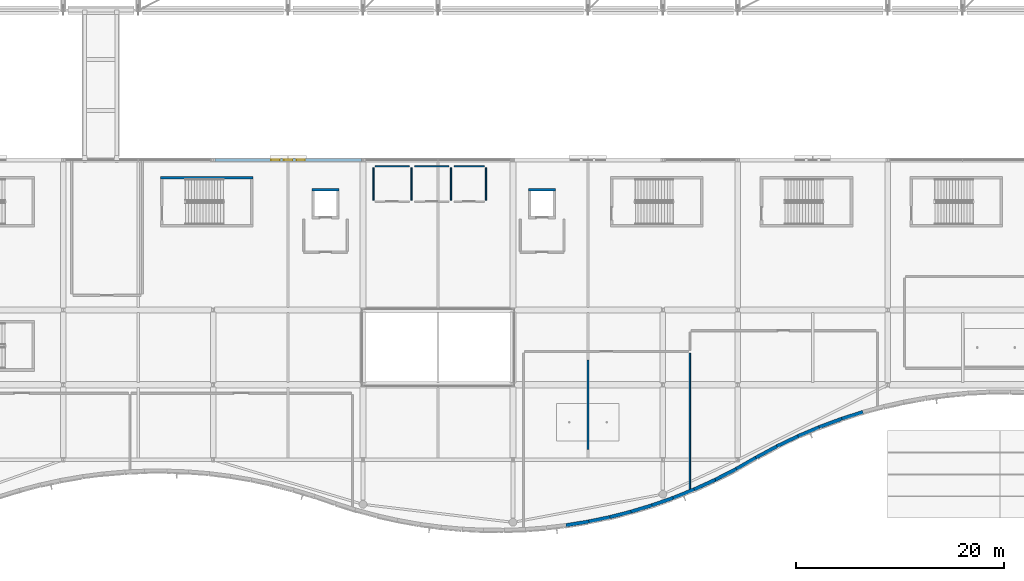
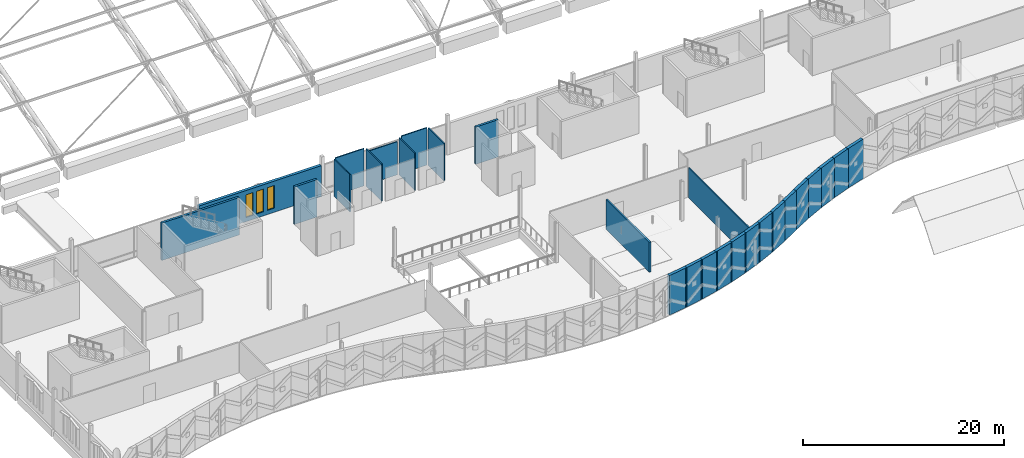
# One storey, part 137 of 193: 27 walls, 3 windows, 3 openings.
"""IFC4 building model written with IfcOpenShell, lengths in metres."""

from ifc_helpers import new_model, si_unit, direction, frame, frame_2d, origin, place, context, subcontext, project, spatial, rectangle, extrude, material, layer, layer_set, type_object, element, fill, save


model = new_model("IFC4")

# Units and contexts
model_context = context("Model", 3, precision=1e-05, world=origin(), true_north=direction((0.0, 1.0)))
body_context = subcontext(model_context, "Body", "Model", "MODEL_VIEW")
ifc_project = project(units=[si_unit("LENGTHUNIT", "METRE"), si_unit("AREAUNIT", "SQUARE_METRE"), si_unit("VOLUMEUNIT", "CUBIC_METRE"), si_unit("PLANEANGLEUNIT", "RADIAN"), si_unit("MASSUNIT", "GRAM", prefix="KILO")], contexts=[model_context])

# Site, building, storey
site_placement = place(None, origin())
site = spatial("IfcSite", under=ifc_project, at=site_placement, CompositionType="ELEMENT")
building_placement = place(site_placement, origin())
building = spatial("IfcBuilding", under=site, at=building_placement, Name="Cendralis Lancet Convention Centre", CompositionType="ELEMENT")
storey_placement = place(building_placement, frame((0.0, 0.0, 10.199951171875)))
storey = spatial("IfcBuildingStorey", under=building, at=storey_placement, Name="L02", CompositionType="ELEMENT", Elevation=10.199951171875)

# Wall, openings, windows
ifc_material_1 = material(Name="Buff sandstone ashlar and Concrete G40 (C40/50)", Category="masonry")
ifc_layer_1 = layer(ifc_material_1, 0.320068359375, Name="Buff sandstone ashlar and Concrete G40 (C40/50)")
ifc_layer_set_1 = layer_set([ifc_layer_1], Name="Buff sandstone ashlar and Concrete G40 (C40/50)")
wall_type_1 = type_object("IfcWallType", Name="ARC-EW-W320", PredefinedType="STANDARD", material=ifc_layer_set_1)
wall_1_placement = place(storey_placement, frame((28.9580078125, 36.0, 0.0), z_axis=(0.0, 0.0, 1.0), x_axis=(1.0, 0.0, 0.0)))
wall_1 = element("IfcWall", 1, at=wall_1_placement, inside=storey, type_object=wall_type_1, Name="L02 V4 Exterior Wall EW-06 #0207", PredefinedType="STANDARD", context=body_context, shape_type="SweptSolid", body=[
    extrude(rectangle(XDim=14.083984375, YDim=0.320068359375, at=frame_2d((7.0419921875, 0.0))), origin(), (0.0, 0.0, 1.0), 3.775146484375),
])
opening_1_placement = place(wall_1_placement, frame((5.422119140625, 0.0, 0.5)))
opening_1 = element("IfcOpeningElement", 2, at=opening_1_placement, cuts=wall_1, Name="Opening WN-07", PredefinedType="OPENING", context=body_context, shape_type="SweptSolid", body=[
    extrude(rectangle(XDim=0.800048828125, YDim=2.75, at=frame_2d((0.39990234375, 1.375))), frame((0.0, 0.169921875, 0.0), z_axis=(0.0, -1.0, 0.0), x_axis=(1.0, 0.0, 0.0)), (0.0, 0.0, 1.0), 0.340087890625),
])
opening_2_placement = place(wall_1_placement, frame((6.64208984375, 0.0, 0.5)))
opening_2 = element("IfcOpeningElement", 3, at=opening_2_placement, cuts=wall_1, Name="Opening WN-07", PredefinedType="OPENING", context=body_context, shape_type="SweptSolid", body=[
    extrude(rectangle(XDim=0.800048828125, YDim=2.75, at=frame_2d((0.39990234375, 1.375))), frame((0.0, 0.169921875, 0.0), z_axis=(0.0, -1.0, 0.0), x_axis=(1.0, 0.0, 0.0)), (0.0, 0.0, 1.0), 0.340087890625),
])
opening_3_placement = place(wall_1_placement, frame((7.862060546875, 0.0, 0.5)))
opening_3 = element("IfcOpeningElement", 4, at=opening_3_placement, cuts=wall_1, Name="Opening WN-07", PredefinedType="OPENING", context=body_context, shape_type="SweptSolid", body=[
    extrude(rectangle(XDim=0.800048828125, YDim=2.75, at=frame_2d((0.39990234375, 1.375))), frame((0.0, 0.169921875, 0.0), z_axis=(0.0, -1.0, 0.0), x_axis=(1.0, 0.0, 0.0)), (0.0, 0.0, 1.0), 0.340087890625),
])
ifc_material_2 = material(Name="Double-glazed low-E solar-control glass", Category="glass")
window_type = type_object("IfcWindowType", Name="ARC-WN-LW07", PartitioningType="SINGLE_PANEL", PredefinedType="WINDOW", material=ifc_material_2)
window_1_placement = place(opening_1_placement, origin())
window_1 = element("IfcWindow", 5, at=window_1_placement, inside=storey, type_object=window_type, Name="Gothic Lancet Window WN-07 #0406", OverallHeight=2.75, OverallWidth=0.800048828125, PartitioningType="SINGLE_PANEL", PredefinedType="WINDOW", context=body_context, shape_type="SweptSolid", body=[
    extrude(rectangle(XDim=0.800048828125, YDim=2.75, at=frame_2d((0.39990234375, 1.375))), frame((0.0, 0.030029296875, 0.0), z_axis=(0.0, -1.0, 0.0), x_axis=(1.0, 0.0, 0.0)), (0.0, 0.0, 1.0), 0.06005859375),
])
fill(opening_1, window_1)
window_2_placement = place(opening_2_placement, origin())
window_2 = element("IfcWindow", 6, at=window_2_placement, inside=storey, type_object=window_type, Name="Gothic Lancet Window WN-07 #0407", OverallHeight=2.75, OverallWidth=0.800048828125, PartitioningType="SINGLE_PANEL", PredefinedType="WINDOW", context=body_context, shape_type="SweptSolid", body=[
    extrude(rectangle(XDim=0.800048828125, YDim=2.75, at=frame_2d((0.39990234375, 1.375))), frame((0.0, 0.030029296875, 0.0), z_axis=(0.0, -1.0, 0.0), x_axis=(1.0, 0.0, 0.0)), (0.0, 0.0, 1.0), 0.06005859375),
])
fill(opening_2, window_2)
window_3_placement = place(opening_3_placement, origin())
window_3 = element("IfcWindow", 7, at=window_3_placement, inside=storey, type_object=window_type, Name="Gothic Lancet Window WN-07 #0408", OverallHeight=2.75, OverallWidth=0.800048828125, PartitioningType="SINGLE_PANEL", PredefinedType="WINDOW", context=body_context, shape_type="SweptSolid", body=[
    extrude(rectangle(XDim=0.800048828125, YDim=2.75, at=frame_2d((0.39990234375, 1.375))), frame((0.0, 0.030029296875, 0.0), z_axis=(0.0, -1.0, 0.0), x_axis=(1.0, 0.0, 0.0)), (0.0, 0.0, 1.0), 0.06005859375),
])
fill(opening_3, window_3)

# Walls
ifc_layer_2 = layer(ifc_material_1, 0.340087890625, Name="Buff sandstone ashlar and Concrete G40 (C40/50)")
ifc_layer_set_2 = layer_set([ifc_layer_2], Name="Buff sandstone ashlar and Concrete G40 (C40/50)")
wall_type_2 = type_object("IfcWallType", Name="ARC-EW-W340", PredefinedType="STANDARD", material=ifc_layer_set_2)
wall_2_placement = place(storey_placement, frame((62.697998046875, 0.911376953125, 0.0), z_axis=(0.0, 0.0, 1.0), x_axis=(0.986905765568, 0.161297891767, 0.0)))
element("IfcWall", 8, at=wall_2_placement, inside=storey, type_object=wall_type_2, Name="South Boulevard Wave Wall L02 WP-032-WP-033", PredefinedType="STANDARD", context=body_context, shape_type="SweptSolid", body=[
    extrude(rectangle(XDim=2.221923828125, YDim=0.340087890625, at=frame_2d((1.11083984375, 0.0))), origin(), (0.0, 0.0, 1.0), 4.800048828125),
])
wall_3_placement = place(storey_placement, frame((64.723876953125, 1.23876953125, 0.0), z_axis=(0.0, 0.0, 1.0), x_axis=(0.97908550934, 0.20344917154, 0.0)))
element("IfcWall", 9, at=wall_3_placement, inside=storey, type_object=wall_type_2, Name="South Boulevard Wave Wall L02 WP-033-WP-034", PredefinedType="STANDARD", context=body_context, shape_type="SweptSolid", body=[
    extrude(rectangle(XDim=2.2392578125, YDim=0.340087890625, at=frame_2d((1.11962890625, 0.0))), origin(), (0.0, 0.0, 1.0), 4.800048828125),
])
wall_4_placement = place(storey_placement, frame((66.75048828125, 1.656005859375, 0.0), z_axis=(0.0, 0.0, 1.0), x_axis=(0.969258997982, 0.246042668719, 0.0)))
element("IfcWall", 10, at=wall_4_placement, inside=storey, type_object=wall_type_2, Name="South Boulevard Wave Wall L02 WP-034-WP-035", PredefinedType="STANDARD", context=body_context, shape_type="SweptSolid", body=[
    extrude(rectangle(XDim=2.25927734375, YDim=0.340087890625, at=frame_2d((1.129638671875, 0.0))), origin(), (0.0, 0.0, 1.0), 4.800048828125),
])
wall_5_placement = place(storey_placement, frame((68.776611328125, 2.16650390625, 0.0), z_axis=(0.0, 0.0, 1.0), x_axis=(0.957628994577, 0.288004702643, 0.0)))
element("IfcWall", 11, at=wall_5_placement, inside=storey, type_object=wall_type_2, Name="South Boulevard Wave Wall L02 WP-035-WP-036", PredefinedType="STANDARD", context=body_context, shape_type="SweptSolid", body=[
    extrude(rectangle(XDim=2.284423828125, YDim=0.340087890625, at=frame_2d((1.14208984375, 0.0))), origin(), (0.0, 0.0, 1.0), 4.800048828125),
])
wall_6_placement = place(storey_placement, frame((70.802734375, 2.77197265625, 0.0), z_axis=(0.0, 0.0, 1.0), x_axis=(0.943963520868, 0.330049801197, 0.0)))
element("IfcWall", 12, at=wall_6_placement, inside=storey, type_object=wall_type_2, Name="South Boulevard Wave Wall L02 WP-036-WP-037", PredefinedType="STANDARD", context=body_context, shape_type="SweptSolid", body=[
    extrude(rectangle(XDim=2.315185546875, YDim=0.340087890625, at=frame_2d((1.15771484375, 0.0))), origin(), (0.0, 0.0, 1.0), 4.800048828125),
])
wall_7_placement = place(storey_placement, frame((72.8291015625, 3.476318359375, 0.0), z_axis=(0.0, 0.0, 1.0), x_axis=(0.928046758816, 0.372463707563, 0.0)))
element("IfcWall", 13, at=wall_7_placement, inside=storey, type_object=wall_type_2, Name="South Boulevard Wave Wall L02 WP-037-WP-038", PredefinedType="STANDARD", context=body_context, shape_type="SweptSolid", body=[
    extrude(rectangle(XDim=2.353271484375, YDim=0.340087890625, at=frame_2d((1.1767578125, 0.0))), origin(), (0.0, 0.0, 1.0), 4.800048828125),
])
wall_8_placement = place(storey_placement, frame((74.856689453125, 4.28564453125, 0.0), z_axis=(0.0, 0.0, 1.0), x_axis=(0.909912191501, 0.414800920633, 0.0)))
element("IfcWall", 14, at=wall_8_placement, inside=storey, type_object=wall_type_2, Name="South Boulevard Wave Wall L02 WP-038-WP-039", PredefinedType="STANDARD", context=body_context, shape_type="SweptSolid", body=[
    extrude(rectangle(XDim=2.3955078125, YDim=0.340087890625, at=frame_2d((1.19775390625, 0.0))), origin(), (0.0, 0.0, 1.0), 4.800048828125),
])
wall_9_placement = place(storey_placement, frame((76.88330078125, 5.205078125, 0.0), z_axis=(0.0, 0.0, 1.0), x_axis=(0.889545097509, 0.456847370024, 0.0)))
element("IfcWall", 15, at=wall_9_placement, inside=storey, type_object=wall_type_2, Name="South Boulevard Wave Wall L02 WP-039-WP-040", PredefinedType="STANDARD", context=body_context, shape_type="SweptSolid", body=[
    extrude(rectangle(XDim=2.446533203125, YDim=0.340087890625, at=frame_2d((1.22314453125, 0.0))), origin(), (0.0, 0.0, 1.0), 4.800048828125),
])
wall_10_placement = place(storey_placement, frame((78.91015625, 6.241943359375, 0.0), z_axis=(0.0, 0.0, 1.0), x_axis=(0.86862731291, 0.495466034423, 0.0)))
element("IfcWall", 16, at=wall_10_placement, inside=storey, type_object=wall_type_2, Name="South Boulevard Wave Wall L02 WP-040-WP-041", PredefinedType="STANDARD", context=body_context, shape_type="SweptSolid", body=[
    extrude(rectangle(XDim=2.501220703125, YDim=0.340087890625, at=frame_2d((1.25048828125, 0.0))), origin(), (0.0, 0.0, 1.0), 4.800048828125),
])
wall_11_placement = place(storey_placement, frame((80.93408203125, 7.398681640625, 0.0), z_axis=(0.0, 0.0, 1.0), x_axis=(0.88020761941, 0.474588818593, 0.0)))
element("IfcWall", 17, at=wall_11_placement, inside=storey, type_object=wall_type_2, Name="South Boulevard Wave Wall L02 WP-041-WP-042", PredefinedType="STANDARD", context=body_context, shape_type="SweptSolid", body=[
    extrude(rectangle(XDim=2.470703125, YDim=0.340087890625, at=frame_2d((1.2353515625, 0.0))), origin(), (0.0, 0.0, 1.0), 4.800048828125),
])
wall_12_placement = place(storey_placement, frame((82.95751953125, 8.494140625, 0.0), z_axis=(0.0, 0.0, 1.0), x_axis=(0.901581367557, 0.432609567247, 0.0)))
element("IfcWall", 18, at=wall_12_placement, inside=storey, type_object=wall_type_2, Name="South Boulevard Wave Wall L02 WP-042-WP-043", PredefinedType="STANDARD", context=body_context, shape_type="SweptSolid", body=[
    extrude(rectangle(XDim=2.4169921875, YDim=0.340087890625, at=frame_2d((1.20849609375, 0.0))), origin(), (0.0, 0.0, 1.0), 4.800048828125),
])
wall_13_placement = place(storey_placement, frame((84.981689453125, 9.4697265625, 0.0), z_axis=(0.0, 0.0, 1.0), x_axis=(0.920731016791, 0.39019789174, 0.0)))
element("IfcWall", 19, at=wall_13_placement, inside=storey, type_object=wall_type_2, Name="South Boulevard Wave Wall L02 WP-043-WP-044", PredefinedType="STANDARD", context=body_context, shape_type="SweptSolid", body=[
    extrude(rectangle(XDim=2.369384765625, YDim=0.340087890625, at=frame_2d((1.1845703125, 0.0))), origin(), (0.0, 0.0, 1.0), 4.800048828125),
])
wall_14_placement = place(storey_placement, frame((87.00537109375, 10.331298828125, 0.0), z_axis=(0.0, 0.0, 1.0), x_axis=(0.937431134524, 0.348170745504, 0.0)))
element("IfcWall", 20, at=wall_14_placement, inside=storey, type_object=wall_type_2, Name="South Boulevard Wave Wall L02 WP-044-WP-045", PredefinedType="STANDARD", context=body_context, shape_type="SweptSolid", body=[
    extrude(rectangle(XDim=2.330078125, YDim=0.340087890625, at=frame_2d((1.1650390625, 0.0))), origin(), (0.0, 0.0, 1.0), 4.800048828125),
])
wall_15_placement = place(storey_placement, frame((89.029052734375, 11.0869140625, 0.0), z_axis=(0.0, 0.0, 1.0), x_axis=(0.951998698531, 0.306102071203, 0.0)))
element("IfcWall", 21, at=wall_15_placement, inside=storey, type_object=wall_type_2, Name="South Boulevard Wave Wall L02 WP-045-WP-046", PredefinedType="STANDARD", context=body_context, shape_type="SweptSolid", body=[
    extrude(rectangle(XDim=2.297119140625, YDim=0.340087890625, at=frame_2d((1.1484375, 0.0))), origin(), (0.0, 0.0, 1.0), 4.800048828125),
])
ifc_material_3 = material(Name="Acoustic fire-rated gypsum board on steel studs", Category="steel")
ifc_layer_3 = layer(ifc_material_3, 0.1201171875, Name="Acoustic fire-rated gypsum board on steel studs")
ifc_layer_set_3 = layer_set([ifc_layer_3], Name="Acoustic fire-rated gypsum board on steel studs")
wall_type_3 = type_object("IfcWallType", Name="ARC-IW-P120", PredefinedType="PARTITIONING", material=ifc_layer_set_3)
wall_16_placement = place(storey_placement, frame((44.35009765625, 35.39990234375, 0.0), z_axis=(0.0, 0.0, 1.0), x_axis=(1.0, 0.0, 0.0)))
element("IfcWall", 22, at=wall_16_placement, inside=storey, type_object=wall_type_3, Name="L02 Interior Partition IW-05 #0273", PredefinedType="PARTITIONING", context=body_context, shape_type="SweptSolid", body=[
    extrude(rectangle(XDim=3.2998046875, YDim=0.1201171875, at=frame_2d((1.64990234375, 0.0))), origin(), (0.0, 0.0, 1.0), 4.525146484375),
])
for number, where, z_axis, x_axis, name in (
    (23, (44.199951171875, 32.139892578125, 0.0), (0.0, 0.0, 1.0), (0.0, 1.0, 0.0), "L02 Interior Partition IW-05 #0274"),
    (24, (47.85009765625, 32.139892578125, 0.0), (0.0, 0.0, 1.0), (0.0, 1.0, 0.0), "L02 Interior Partition IW-05 #0275"),
):
    element("IfcWall", number, at=place(storey_placement, frame(where, z_axis=z_axis, x_axis=x_axis)), inside=storey, type_object=wall_type_3, Name=name, PredefinedType="PARTITIONING", context=body_context, shape_type="SweptSolid", body=[
        extrude(rectangle(XDim=3.1201171875, YDim=0.1201171875, at=frame_2d((1.56005859375, 0.0))), origin(), (0.0, 0.0, 1.0), 4.525146484375),
    ])
wall_17_placement = place(storey_placement, frame((48.14990234375, 35.39990234375, 0.0), z_axis=(0.0, 0.0, 1.0), x_axis=(1.0, 0.0, 0.0)))
element("IfcWall", 25, at=wall_17_placement, inside=storey, type_object=wall_type_3, Name="L02 Interior Partition IW-05 #0277", PredefinedType="PARTITIONING", context=body_context, shape_type="SweptSolid", body=[
    extrude(rectangle(XDim=3.300048828125, YDim=0.1201171875, at=frame_2d((1.64990234375, 0.0))), origin(), (0.0, 0.0, 1.0), 4.025146484375),
])
wall_18_placement = place(storey_placement, frame((51.64990234375, 32.139892578125, 0.0), z_axis=(0.0, 0.0, 1.0), x_axis=(0.0, 1.0, 0.0)))
element("IfcWall", 26, at=wall_18_placement, inside=storey, type_object=wall_type_3, Name="L02 Interior Partition IW-05 #0278", PredefinedType="PARTITIONING", context=body_context, shape_type="SweptSolid", body=[
    extrude(rectangle(XDim=3.1201171875, YDim=0.1201171875, at=frame_2d((1.56005859375, 0.0))), origin(), (0.0, 0.0, 1.0), 4.525146484375),
])
wall_19_placement = place(storey_placement, frame((51.949951171875, 35.39990234375, 0.0), z_axis=(0.0, 0.0, 1.0), x_axis=(1.0, 0.0, 0.0)))
element("IfcWall", 27, at=wall_19_placement, inside=storey, type_object=wall_type_3, Name="L02 Interior Partition IW-05 #0280", PredefinedType="PARTITIONING", context=body_context, shape_type="SweptSolid", body=[
    extrude(rectangle(XDim=2.900146484375, YDim=0.1201171875, at=frame_2d((1.4501953125, 0.0))), origin(), (0.0, 0.0, 1.0), 4.525146484375),
])
wall_20_placement = place(storey_placement, frame((55.0, 32.139892578125, 0.0), z_axis=(0.0, 0.0, 1.0), x_axis=(0.0, 1.0, 0.0)))
element("IfcWall", 28, at=wall_20_placement, inside=storey, type_object=wall_type_3, Name="L02 Interior Partition IW-05 #0281", PredefinedType="PARTITIONING", context=body_context, shape_type="SweptSolid", body=[
    extrude(rectangle(XDim=3.1201171875, YDim=0.1201171875, at=frame_2d((1.56005859375, 0.0))), origin(), (0.0, 0.0, 1.0), 4.525146484375),
])
ifc_layer_4 = layer(ifc_material_3, 0.139892578125, Name="Acoustic fire-rated gypsum board on steel studs")
ifc_layer_set_4 = layer_set([ifc_layer_4], Name="Acoustic fire-rated gypsum board on steel studs")
wall_type_4 = type_object("IfcWallType", Name="ARC-IW-P140", PredefinedType="PARTITIONING", material=ifc_layer_set_4)
wall_21_placement = place(storey_placement, frame((74.60009765625, 4.369873046875, 0.0), z_axis=(0.0, 0.0, 1.0), x_axis=(0.0, 1.0, 0.0)))
element("IfcWall", 29, at=wall_21_placement, inside=storey, type_object=wall_type_4, Name="L02 Interior Partition IW-04 #0261", PredefinedType="PARTITIONING", context=body_context, shape_type="SweptSolid", body=[
    extrude(rectangle(XDim=13.090087890625, YDim=0.139892578125, at=frame_2d((6.544921875, 0.0))), origin(), (0.0, 0.0, 1.0), 3.625),
])
ifc_material_4 = material(Name="Motorised acoustic operable panel system")
ifc_layer_5 = layer(ifc_material_4, 0.195068359375, Name="Motorised acoustic operable panel system")
ifc_layer_set_5 = layer_set([ifc_layer_5], Name="Motorised acoustic operable panel system")
wall_type_5 = type_object("IfcWallType", Name="ARC-MW-MV195", PredefinedType="MOVABLE", material=ifc_layer_set_5)
wall_22_placement = place(storey_placement, frame((64.800048828125, 8.199951171875, 0.0), z_axis=(0.0, 0.0, 1.0), x_axis=(0.0, 1.0, 0.0)))
element("IfcWall", 30, at=wall_22_placement, inside=storey, type_object=wall_type_5, Name="L02 Operable Acoustic Partition MW-02 #07", PredefinedType="MOVABLE", context=body_context, shape_type="SweptSolid", body=[
    extrude(rectangle(XDim=8.60009765625, YDim=0.195068359375, at=frame_2d((4.300048828125, 0.0))), origin(), (0.0, 0.0, 1.0), 3.625),
])
ifc_material_5 = material(Name="Concrete G40 (C40/50)", Category="concrete")
ifc_layer_6 = layer(ifc_material_5, 0.25, Name="Concrete G40 (C40/50)")
ifc_layer_set_6 = layer_set([ifc_layer_6], Name="Concrete G40 (C40/50)")
wall_type_6 = type_object("IfcWallType", Name="STR-SW-CW250", PredefinedType="SHEAR", material=ifc_layer_set_6)
wall_23_placement = place(storey_placement, frame((23.75, 34.304931640625, 0.0), z_axis=(0.0, 0.0, 1.0), x_axis=(1.0, 0.0, 0.0)))
element("IfcWall", 31, at=wall_23_placement, inside=storey, type_object=wall_type_6, Name="L02 Stair Core ST-11 North Shear Wall", PredefinedType="SHEAR", context=body_context, shape_type="SweptSolid", body=[
    extrude(rectangle(XDim=8.89990234375, YDim=0.25, at=frame_2d((4.449951171875, 0.0))), origin(), (0.0, 0.0, 1.0), 4.5400390625),
])
for number, where, z_axis, x_axis, name in (
    (32, (38.300048828125, 33.125, 0.0), (0.0, 0.0, 1.0), (1.0, 0.0, 0.0), "L02 Lift LP-03 North Shaft Wall"),
    (33, (59.10009765625, 33.125, 0.0), (0.0, 0.0, 1.0), (1.0, 0.0, 0.0), "L02 Lift LP-04 North Shaft Wall"),
):
    element("IfcWall", number, at=place(storey_placement, frame(where, z_axis=z_axis, x_axis=x_axis)), inside=storey, type_object=wall_type_6, Name=name, PredefinedType="SHEAR", context=body_context, shape_type="SweptSolid", body=[
        extrude(rectangle(XDim=2.599853515625, YDim=0.25, at=frame_2d((1.2998046875, 0.0))), origin(), (0.0, 0.0, 1.0), 4.5400390625),
    ])

save(model, "model.ifc")
